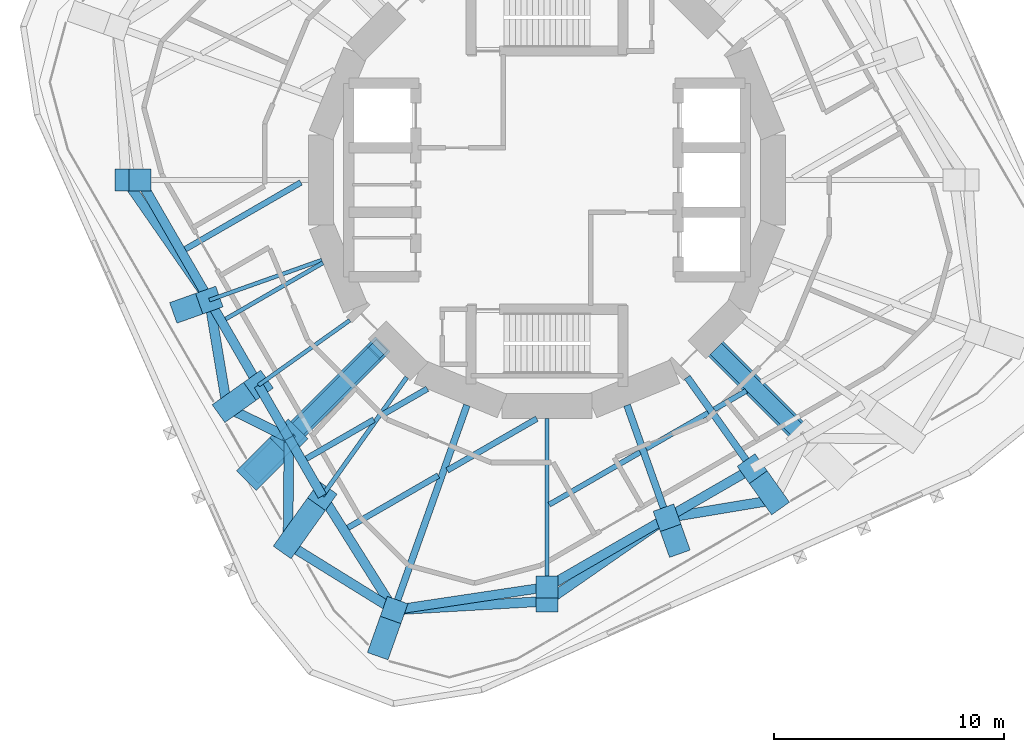
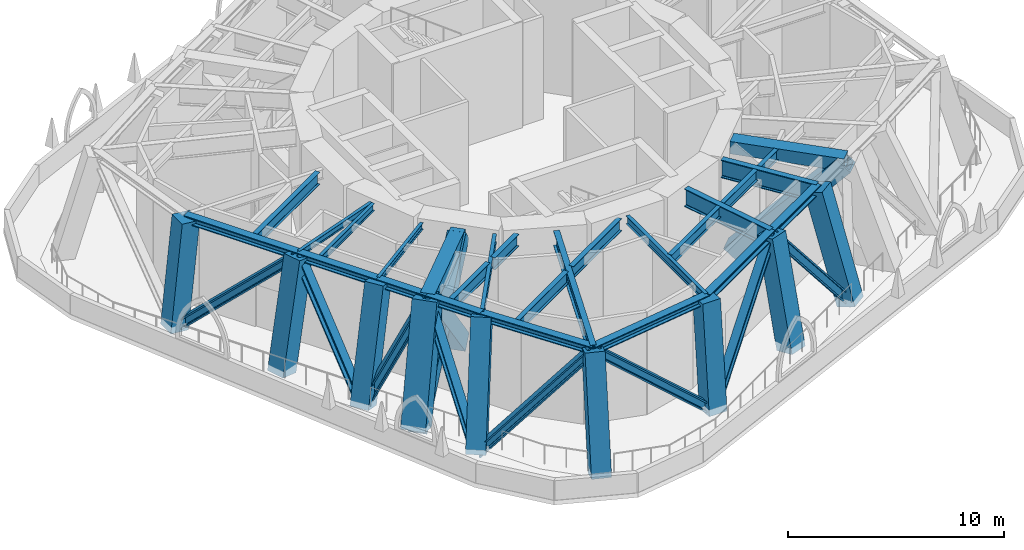
# One storey, part 1 of 10: 30 members, 16 beams.
"""IFC4 building model written with IfcOpenShell, lengths in metres."""

from ifc_helpers import new_model, si_unit, direction, frame, origin, origin_2d, place, context, subcontext, project, spatial, rectangle, hollow_rectangle, i_section, extrude, material, material_profile, profile_set, type_object, element, save


model = new_model("IFC4")

# Units and contexts
model_context = context("Model", 3, precision=1e-05, world=origin(), true_north=direction((0.0, 1.0)))
body_context = subcontext(model_context, "Body", "Model", "MODEL_VIEW")
ifc_project = project(units=[si_unit("LENGTHUNIT", "METRE"), si_unit("AREAUNIT", "SQUARE_METRE"), si_unit("VOLUMEUNIT", "CUBIC_METRE"), si_unit("PLANEANGLEUNIT", "RADIAN"), si_unit("MASSUNIT", "GRAM", prefix="KILO")], contexts=[model_context])

# Site, building, storey
site_placement = place(None, origin())
site = spatial("IfcSite", under=ifc_project, at=site_placement, CompositionType="ELEMENT")
building_placement = place(site_placement, origin())
building = spatial("IfcBuilding", under=site, at=building_placement, Name="Nakasero Lantern House", CompositionType="ELEMENT")
storey_placement = place(building_placement, frame((0.0, 0.0, 217.10009765625)))
storey = spatial("IfcBuildingStorey", under=building, at=storey_placement, Name="L53", CompositionType="ELEMENT", Elevation=217.10009765625)

# Members
ifc_material_1 = material(Name="Steel S355", Category="steel")
ifc_material_profile_1 = material_profile(ifc_material_1, i_section(OverallWidth=0.406982421875, OverallDepth=0.4189453125, WebThickness=0.030517578125, FlangeThickness=0.04931640625, FilletRadius=0.01513671875, at=origin_2d()), Name="UC 356x406x393")
ifc_profile_set_1 = profile_set([ifc_material_profile_1], Name="Steel S355")
member_type_1 = type_object("IfcMemberType", Name="Belt truss chord UC 356x406x393", PredefinedType="CHORD", material=ifc_profile_set_1)
member_1_placement = place(storey_placement, frame((-17.6669921875, 0.0, 5.59033203125), z_axis=(0.50000924366, -0.866020066889, 0.0), x_axis=(0.866020066889, 0.50000924366, 0.0)))
element("IfcMember", 1, at=member_1_placement, inside=storey, type_object=member_type_1, Name="Belt truss top chord T5 B6-C15T", PredefinedType="CHORD", context=body_context, shape_type="SweptSolid", body=[
    extrude(i_section(OverallWidth=0.406982421875, OverallDepth=0.4189453125, WebThickness=0.030517578125, FlangeThickness=0.04931640625, FilletRadius=0.01513671875, at=origin_2d()), origin(), (0.0, 0.0, 1.0), 6.01806640625),
])
member_2_placement = place(storey_placement, frame((-14.657958984375, -5.211669921875, 5.59033203125), z_axis=(0.500016352561, -0.866015962423, 0.0), x_axis=(0.866015962423, 0.500016352561, 0.0)))
element("IfcMember", 2, at=member_2_placement, inside=storey, type_object=member_type_1, Name="Belt truss top chord T5 B6-C16T", PredefinedType="CHORD", context=body_context, shape_type="SweptSolid", body=[
    extrude(i_section(OverallWidth=0.406982421875, OverallDepth=0.4189453125, WebThickness=0.030517578125, FlangeThickness=0.04931640625, FilletRadius=0.01513671875, at=origin_2d()), origin(), (0.0, 0.0, 1.0), 4.266357421875),
])
member_3_placement = place(storey_placement, frame((-12.524658203125, -8.906494140625, 5.59033203125), z_axis=(0.499945861543, -0.866056658381, 0.0), x_axis=(0.866056658381, 0.499945861543, 0.0)))
element("IfcMember", 3, at=member_3_placement, inside=storey, type_object=member_type_1, Name="Belt truss top chord T5 B6-C17T", PredefinedType="CHORD", context=body_context, shape_type="SweptSolid", body=[
    extrude(i_section(OverallWidth=0.406982421875, OverallDepth=0.4189453125, WebThickness=0.030517578125, FlangeThickness=0.04931640625, FilletRadius=0.01513671875, at=origin_2d()), origin(), (0.0, 0.0, 1.0), 2.648681640625),
])
member_4_placement = place(storey_placement, frame((-11.200439453125, -11.200439453125, 5.59033203125), z_axis=(0.500023687443, -0.866011727401, 0.0), x_axis=(0.866011727401, 0.500023687443, 0.0)))
element("IfcMember", 4, at=member_4_placement, inside=storey, type_object=member_type_1, Name="Belt truss top chord T5 B6-C18T", PredefinedType="CHORD", context=body_context, shape_type="SweptSolid", body=[
    extrude(i_section(OverallWidth=0.406982421875, OverallDepth=0.4189453125, WebThickness=0.030517578125, FlangeThickness=0.04931640625, FilletRadius=0.01513671875, at=origin_2d()), origin(), (0.0, 0.0, 1.0), 2.899658203125),
])
member_5_placement = place(storey_placement, frame((-9.75048828125, -13.711669921875, 5.59033203125), z_axis=(0.532660471024, -0.846329027393, 0.0), x_axis=(0.846329027393, 0.532660471024, 0.0)))
element("IfcMember", 5, at=member_5_placement, inside=storey, type_object=member_type_1, Name="Belt truss top chord T5 B6-C19T", PredefinedType="CHORD", context=body_context, shape_type="SweptSolid", body=[
    extrude(i_section(OverallWidth=0.406982421875, OverallDepth=0.4189453125, WebThickness=0.030517578125, FlangeThickness=0.04931640625, FilletRadius=0.01513671875, at=origin_2d()), origin(), (0.0, 0.0, 1.0), 5.848388671875),
])
member_6_placement = place(storey_placement, frame((-6.63525390625, -18.661376953125, 5.59033203125), z_axis=(0.988956095107, 0.148208778253, 0.0), x_axis=(-0.148208778253, 0.988956095107, 0.0)))
element("IfcMember", 6, at=member_6_placement, inside=storey, type_object=member_type_1, Name="Belt truss top chord T5 B6-C20T", PredefinedType="CHORD", context=body_context, shape_type="SweptSolid", body=[
    extrude(i_section(OverallWidth=0.406982421875, OverallDepth=0.4189453125, WebThickness=0.030517578125, FlangeThickness=0.04931640625, FilletRadius=0.01513671875, at=origin_2d()), origin(), (0.0, 0.0, 1.0), 6.70947265625),
])
member_7_placement = place(storey_placement, frame((0.0, -17.6669921875, 5.59033203125), z_axis=(0.866020066889, 0.50000924366, 0.0), x_axis=(-0.50000924366, 0.866020066889, 0.0)))
element("IfcMember", 7, at=member_7_placement, inside=storey, type_object=member_type_1, Name="Belt truss top chord T5 B6-C21T", PredefinedType="CHORD", context=body_context, shape_type="SweptSolid", body=[
    extrude(i_section(OverallWidth=0.406982421875, OverallDepth=0.4189453125, WebThickness=0.030517578125, FlangeThickness=0.04931640625, FilletRadius=0.01513671875, at=origin_2d()), origin(), (0.0, 0.0, 1.0), 6.01806640625),
])
member_8_placement = place(storey_placement, frame((5.211669921875, -14.657958984375, 5.59033203125), z_axis=(0.866015962423, 0.500016352561, 0.0), x_axis=(-0.500016352561, 0.866015962423, 0.0)))
element("IfcMember", 8, at=member_8_placement, inside=storey, type_object=member_type_1, Name="Belt truss top chord T5 B6-C22T", PredefinedType="CHORD", context=body_context, shape_type="SweptSolid", body=[
    extrude(i_section(OverallWidth=0.406982421875, OverallDepth=0.4189453125, WebThickness=0.030517578125, FlangeThickness=0.04931640625, FilletRadius=0.01513671875, at=origin_2d()), origin(), (0.0, 0.0, 1.0), 4.266357421875),
])
ifc_material_2 = material(Name="Steel S355", Category="steel")
ifc_material_profile_2 = material_profile(ifc_material_2, i_section(OverallWidth=0.424072265625, OverallDepth=0.474609375, WebThickness=0.047607421875, FlangeThickness=0.076904296875, FilletRadius=0.01513671875, at=origin_2d()), Name="UC 356x406x634")
ifc_profile_set_2 = profile_set([ifc_material_profile_2], Name="Steel S355")
member_type_2 = type_object("IfcMemberType", Name="Belt truss diagonal UC 356x406x634", PredefinedType="BRACE", material=ifc_profile_set_2)
member_9_placement = place(storey_placement, frame((-18.280517578125, 0.0, -0.40966796875), z_axis=(0.414760561963, -0.59670398411, 0.686962904084), x_axis=(0.821123096847, 0.570751136507, 0.0)))
element("IfcMember", 9, at=member_9_placement, inside=storey, type_object=member_type_2, Name="Belt truss diagonal T5-15", PredefinedType="BRACE", context=body_context, shape_type="SweptSolid", body=[
    extrude(i_section(OverallWidth=0.424072265625, OverallDepth=0.474609375, WebThickness=0.047607421875, FlangeThickness=0.076904296875, FilletRadius=0.01513671875, at=origin_2d()), origin(), (0.0, 0.0, 1.0), 8.734130859375),
])
member_10_placement = place(storey_placement, frame((-14.657958984375, -5.211669921875, 5.59033203125), z_axis=(0.101268597524, -0.610392635641, -0.785598817152), x_axis=(0.986515133653, 0.163670067736, 0.0)))
element("IfcMember", 10, at=member_10_placement, inside=storey, type_object=member_type_2, Name="Belt truss diagonal T5-16", PredefinedType="BRACE", context=body_context, shape_type="SweptSolid", body=[
    extrude(i_section(OverallWidth=0.424072265625, OverallDepth=0.474609375, WebThickness=0.047607421875, FlangeThickness=0.076904296875, FilletRadius=0.01513671875, at=origin_2d()), origin(), (0.0, 0.0, 1.0), 7.637451171875),
])
member_11_placement = place(storey_placement, frame((-13.884521484375, -9.87353515625, -0.40966796875), z_axis=(0.400275145517, -0.197880245214, 0.894775511754), x_axis=(0.443164687224, 0.896440215518, 0.0)))
element("IfcMember", 11, at=member_11_placement, inside=storey, type_object=member_type_2, Name="Belt truss diagonal T5-17", PredefinedType="BRACE", context=body_context, shape_type="SweptSolid", body=[
    extrude(i_section(OverallWidth=0.424072265625, OverallDepth=0.474609375, WebThickness=0.047607421875, FlangeThickness=0.076904296875, FilletRadius=0.01513671875, at=origin_2d()), origin(), (0.0, 0.0, 1.0), 6.70556640625),
])
member_12_placement = place(storey_placement, frame((-11.200439453125, -11.200439453125, 5.59033203125), z_axis=(-0.005485834883, -0.609121289695, -0.793058106355), x_axis=(0.99995944714, -0.009005780145, 0.0)))
element("IfcMember", 12, at=member_12_placement, inside=storey, type_object=member_type_2, Name="Belt truss diagonal T5-18", PredefinedType="BRACE", context=body_context, shape_type="SweptSolid", body=[
    extrude(i_section(OverallWidth=0.424072265625, OverallDepth=0.474609375, WebThickness=0.047607421875, FlangeThickness=0.076904296875, FilletRadius=0.01513671875, at=origin_2d()), origin(), (0.0, 0.0, 1.0), 7.565673828125),
])
member_13_placement = place(storey_placement, frame((-11.241943359375, -15.808837890625, -0.40966796875), z_axis=(0.569819984128, -0.352842052815, 0.742164180929), x_axis=(0.526458539718, 0.850200803315, 0.0)))
element("IfcMember", 13, at=member_13_placement, inside=storey, type_object=member_type_2, Name="Belt truss diagonal T5-19", PredefinedType="BRACE", context=body_context, shape_type="SweptSolid", body=[
    extrude(i_section(OverallWidth=0.424072265625, OverallDepth=0.474609375, WebThickness=0.047607421875, FlangeThickness=0.076904296875, FilletRadius=0.01513671875, at=origin_2d()), origin(), (0.0, 0.0, 1.0), 8.08447265625),
])
member_14_placement = place(storey_placement, frame((-6.63525390625, -18.661376953125, 5.59033203125), z_axis=(0.741049366116, 0.042535764631, -0.670101892033), x_axis=(-0.057305043662, 0.998356715794, 0.0)))
element("IfcMember", 14, at=member_14_placement, inside=storey, type_object=member_type_2, Name="Belt truss diagonal T5-20", PredefinedType="BRACE", context=body_context, shape_type="SweptSolid", body=[
    extrude(i_section(OverallWidth=0.424072265625, OverallDepth=0.474609375, WebThickness=0.047607421875, FlangeThickness=0.076904296875, FilletRadius=0.01513671875, at=origin_2d()), origin(), (0.0, 0.0, 1.0), 8.953857421875),
])
member_15_placement = place(storey_placement, frame((0.0, -18.280517578125, -0.40966796875), z_axis=(0.59670398411, 0.414760561963, 0.686962904084), x_axis=(-0.570751136507, 0.821123096847, 0.0)))
element("IfcMember", 15, at=member_15_placement, inside=storey, type_object=member_type_2, Name="Belt truss diagonal T5-21", PredefinedType="BRACE", context=body_context, shape_type="SweptSolid", body=[
    extrude(i_section(OverallWidth=0.424072265625, OverallDepth=0.474609375, WebThickness=0.047607421875, FlangeThickness=0.076904296875, FilletRadius=0.01513671875, at=origin_2d()), origin(), (0.0, 0.0, 1.0), 8.734130859375),
])
member_16_placement = place(storey_placement, frame((5.211669921875, -14.657958984375, 5.59033203125), z_axis=(0.610392635641, 0.101268597524, -0.785598817152), x_axis=(-0.163670067736, 0.986515133653, 0.0)))
element("IfcMember", 16, at=member_16_placement, inside=storey, type_object=member_type_2, Name="Belt truss diagonal T5-22", PredefinedType="BRACE", context=body_context, shape_type="SweptSolid", body=[
    extrude(i_section(OverallWidth=0.424072265625, OverallDepth=0.474609375, WebThickness=0.047607421875, FlangeThickness=0.076904296875, FilletRadius=0.01513671875, at=origin_2d()), origin(), (0.0, 0.0, 1.0), 7.637451171875),
])

# Beams
ifc_material_3 = material(Name="Steel S355", Category="steel")
ifc_material_profile_3 = material_profile(ifc_material_3, i_section(OverallWidth=0.177978515625, OverallDepth=0.406494140625, WebThickness=0.0078125, FlangeThickness=0.0126953125, FilletRadius=0.01025390625, at=origin_2d()), Name="UB 406x178x60")
ifc_profile_set_3 = profile_set([ifc_material_profile_3], Name="Steel S355")
beam_type_1 = type_object("IfcBeamType", Name="Infill beam UB 406x178x60", PredefinedType="JOIST", material=ifc_profile_set_3)
beam_1_placement = place(storey_placement, frame((-13.948974609375, -6.03271484375, 5.5966796875), z_axis=(0.866011447264, 0.500024172624, 0.0), x_axis=(-0.500024172624, 0.866011447264, 0.0)))
element("IfcBeam", 17, at=beam_1_placement, inside=storey, type_object=beam_type_1, Name="Infill beam L54 07.1", PredefinedType="JOIST", context=body_context, shape_type="SweptSolid", body=[
    extrude(i_section(OverallWidth=0.177978515625, OverallDepth=0.406494140625, WebThickness=0.0078125, FlangeThickness=0.0126953125, FilletRadius=0.01025390625, at=origin_2d()), origin(), (0.0, 0.0, 1.0), 4.879638671875),
])
ifc_material_4 = material(Name="Steel S355", Category="steel")
ifc_material_profile_4 = material_profile(ifc_material_4, i_section(OverallWidth=0.2275390625, OverallDepth=0.6025390625, WebThickness=0.010498046875, FlangeThickness=0.014892578125, FilletRadius=0.0126953125, at=origin_2d()), Name="UB 610x229x101")
ifc_profile_set_4 = profile_set([ifc_material_profile_4], Name="Steel S355")
beam_type_2 = type_object("IfcBeamType", Name="Infill beam UB 610x229x101", PredefinedType="JOIST", material=ifc_profile_set_4)
beam_2_placement = place(storey_placement, frame((0.095703125, -14.08984375, 5.49853515625), z_axis=(0.866027576455, 0.499996236806, 0.0), x_axis=(-0.499996236806, 0.866027576455, 0.0)))
element("IfcBeam", 18, at=beam_2_placement, inside=storey, type_object=beam_type_2, Name="Infill beam L54 03.1", PredefinedType="JOIST", context=body_context, shape_type="SweptSolid", body=[
    extrude(i_section(OverallWidth=0.2275390625, OverallDepth=0.6025390625, WebThickness=0.010498046875, FlangeThickness=0.014892578125, FilletRadius=0.0126953125, at=origin_2d()), origin(), (0.0, 0.0, 1.0), 4.55419921875),
])
beam_3_placement = place(storey_placement, frame((4.3056640625, -11.6591796875, 5.49853515625), z_axis=(0.866022192502, 0.500005562063, 0.0), x_axis=(-0.500005562063, 0.866022192502, 0.0)))
element("IfcBeam", 19, at=beam_3_placement, inside=storey, type_object=beam_type_2, Name="Infill beam L54 03.2", PredefinedType="JOIST", context=body_context, shape_type="SweptSolid", body=[
    extrude(i_section(OverallWidth=0.2275390625, OverallDepth=0.6025390625, WebThickness=0.010498046875, FlangeThickness=0.014892578125, FilletRadius=0.0126953125, at=origin_2d()), origin(), (0.0, 0.0, 1.0), 3.1103515625),
])
beam_4_placement = place(storey_placement, frame((7.2626953125, -9.951904296875, 5.49853515625), z_axis=(0.866008413041, 0.500029427677, 0.0), x_axis=(-0.500029427677, 0.866008413041, 0.0)))
element("IfcBeam", 20, at=beam_4_placement, inside=storey, type_object=beam_type_2, Name="Infill beam L54 03.3", PredefinedType="JOIST", context=body_context, shape_type="SweptSolid", body=[
    extrude(i_section(OverallWidth=0.2275390625, OverallDepth=0.6025390625, WebThickness=0.010498046875, FlangeThickness=0.014892578125, FilletRadius=0.0126953125, at=origin_2d()), origin(), (0.0, 0.0, 1.0), 1.6064453125),
])
ifc_material_5 = material(Name="Steel S355", Category="steel")
ifc_material_profile_5 = material_profile(ifc_material_5, i_section(OverallWidth=0.253662109375, OverallDepth=0.68359375, WebThickness=0.012451171875, FlangeThickness=0.01904296875, FilletRadius=0.01513671875, at=origin_2d()), Name="UB 686x254x140")
ifc_profile_set_5 = profile_set([ifc_material_profile_5], Name="Steel S355")
beam_type_3 = type_object("IfcBeamType", Name="Infill beam UB 686x254x140", PredefinedType="JOIST", material=ifc_profile_set_5)
beam_5_placement = place(storey_placement, frame((-8.640869140625, -15.092529296875, 5.458251953125), z_axis=(0.866016951853, 0.500014638889, 0.0), x_axis=(-0.500014638889, 0.866016951853, 0.0)))
element("IfcBeam", 21, at=beam_5_placement, inside=storey, type_object=beam_type_3, Name="Infill beam L54 04.1", PredefinedType="JOIST", context=body_context, shape_type="SweptSolid", body=[
    extrude(i_section(OverallWidth=0.253662109375, OverallDepth=0.68359375, WebThickness=0.012451171875, FlangeThickness=0.01904296875, FilletRadius=0.01513671875, at=origin_2d()), origin(), (0.0, 0.0, 1.0), 4.532470703125),
])
beam_6_placement = place(storey_placement, frame((-4.3251953125, -12.600830078125, 5.458251953125), z_axis=(0.866020631037, 0.50000826655, 0.0), x_axis=(-0.50000826655, 0.866020631037, 0.0)))
element("IfcBeam", 22, at=beam_6_placement, inside=storey, type_object=beam_type_3, Name="Infill beam L54 04.2", PredefinedType="JOIST", context=body_context, shape_type="SweptSolid", body=[
    extrude(i_section(OverallWidth=0.253662109375, OverallDepth=0.68359375, WebThickness=0.012451171875, FlangeThickness=0.01904296875, FilletRadius=0.01513671875, at=origin_2d()), origin(), (0.0, 0.0, 1.0), 4.48583984375),
])
beam_7_placement = place(storey_placement, frame((-10.448974609375, -12.094970703125, 5.458251953125), z_axis=(0.86601890861, 0.500011249804, 0.0), x_axis=(-0.500011249804, 0.86601890861, 0.0)))
element("IfcBeam", 23, at=beam_7_placement, inside=storey, type_object=beam_type_3, Name="Infill beam L54 05.1", PredefinedType="JOIST", context=body_context, shape_type="SweptSolid", body=[
    extrude(i_section(OverallWidth=0.253662109375, OverallDepth=0.68359375, WebThickness=0.012451171875, FlangeThickness=0.01904296875, FilletRadius=0.01513671875, at=origin_2d()), origin(), (0.0, 0.0, 1.0), 3.390625),
])
beam_8_placement = place(storey_placement, frame((-7.114501953125, -10.169677734375, 5.458251953125), z_axis=(0.866040838572, 0.499973265211, 0.0), x_axis=(-0.499973265211, 0.866040838572, 0.0)))
element("IfcBeam", 24, at=beam_8_placement, inside=storey, type_object=beam_type_3, Name="Infill beam L54 05.2", PredefinedType="JOIST", context=body_context, shape_type="SweptSolid", body=[
    extrude(i_section(OverallWidth=0.253662109375, OverallDepth=0.68359375, WebThickness=0.012451171875, FlangeThickness=0.01904296875, FilletRadius=0.01513671875, at=origin_2d()), origin(), (0.0, 0.0, 1.0), 2.21875),
])
beam_9_placement = place(storey_placement, frame((-15.698974609375, -3.001708984375, 5.458251953125), z_axis=(0.866022802698, 0.500004505187, 0.0), x_axis=(-0.500004505187, 0.866022802698, 0.0)))
element("IfcBeam", 25, at=beam_9_placement, inside=storey, type_object=beam_type_3, Name="Infill beam L54 08.1", PredefinedType="JOIST", context=body_context, shape_type="SweptSolid", body=[
    extrude(i_section(OverallWidth=0.253662109375, OverallDepth=0.68359375, WebThickness=0.012451171875, FlangeThickness=0.01904296875, FilletRadius=0.01513671875, at=origin_2d()), origin(), (0.0, 0.0, 1.0), 5.79443359375),
])

# Members
ifc_material_6 = material(Name="Steel S355", Category="steel")
ifc_material_profile_6 = material_profile(ifc_material_6, hollow_rectangle(XDim=0.699951171875, YDim=0.699951171875, WallThickness=0.050048828125, at=origin_2d()), Name="BOX 700x700x50")
ifc_profile_set_6 = profile_set([ifc_material_profile_6], Name="Steel S355")
member_type_3 = type_object("IfcMemberType", Name="Outrigger chord BOX 700x700x50", PredefinedType="CHORD", material=ifc_profile_set_6)
for number, where, z_axis, x_axis, name in (
    (26, (-11.200439453125, -11.200439453125, 5.449951171875), (0.707106781187, 0.707106781187, 0.0), (-0.707106781187, 0.707106781187, 0.0), "Outrigger chord L54 B6-C18T"),
    (27, (11.200439453125, -11.200439453125, 5.449951171875), (-0.707106781187, 0.707106781187, 0.0), (-0.707106781187, -0.707106781187, 0.0), "Outrigger chord L54 B6-C24T"),
):
    element("IfcMember", number, at=place(storey_placement, frame(where, z_axis=z_axis, x_axis=x_axis)), inside=storey, type_object=member_type_3, Name=name, PredefinedType="CHORD", context=body_context, shape_type="SweptSolid", body=[
        extrude(hollow_rectangle(XDim=0.699951171875, YDim=0.699951171875, WallThickness=0.050048828125, at=origin_2d()), origin(), (0.0, 0.0, 1.0), 5.481689453125),
    ])
ifc_material_7 = material(Name="Steel S355", Category="steel")
ifc_material_profile_7 = material_profile(ifc_material_7, hollow_rectangle(XDim=0.89990234375, YDim=0.89990234375, WallThickness=0.10009765625, at=origin_2d()), Name="BOX 900x900x100")
ifc_profile_set_7 = profile_set([ifc_material_profile_7], Name="Steel S355")
member_type_4 = type_object("IfcMemberType", Name="Outrigger diagonal BOX 900x900x100", PredefinedType="BRACE", material=ifc_profile_set_7)
member_17_placement = place(storey_placement, frame((-7.359375, -7.359375, -0.550048828125), z_axis=(-0.47457614987, -0.47457614987, 0.74131973935), x_axis=(0.707106781187, -0.707106781187, 0.0)))
element("IfcMember", 28, at=member_17_placement, inside=storey, type_object=member_type_4, Name="Outrigger diagonal L53 18 rising", PredefinedType="BRACE", context=body_context, shape_type="SweptSolid", body=[
    extrude(hollow_rectangle(XDim=0.89990234375, YDim=0.89990234375, WallThickness=0.10009765625, at=origin_2d()), origin(), (0.0, 0.0, 1.0), 8.09375),
])
member_18_placement = place(storey_placement, frame((-7.32421875, -7.32421875, 5.449951171875), z_axis=(-0.5530241733, -0.5530241733, -0.623160113848), x_axis=(0.707106781187, -0.707106781187, 0.0)))
element("IfcMember", 29, at=member_18_placement, inside=storey, type_object=member_type_4, Name="Outrigger diagonal L53 18 falling", PredefinedType="BRACE", context=body_context, shape_type="SweptSolid", body=[
    extrude(hollow_rectangle(XDim=0.89990234375, YDim=0.89990234375, WallThickness=0.10009765625, at=origin_2d()), origin(), (0.0, 0.0, 1.0), 9.62841796875),
])
member_19_placement = place(storey_placement, frame((7.359375, -7.359375, -0.550048828125), z_axis=(0.47457614987, -0.47457614987, 0.74131973935), x_axis=(0.707106781187, 0.707106781187, 0.0)))
element("IfcMember", 30, at=member_19_placement, inside=storey, type_object=member_type_4, Name="Outrigger diagonal L53 24 rising", PredefinedType="BRACE", context=body_context, shape_type="SweptSolid", body=[
    extrude(hollow_rectangle(XDim=0.89990234375, YDim=0.89990234375, WallThickness=0.10009765625, at=origin_2d()), origin(), (0.0, 0.0, 1.0), 8.09375),
])

# Beams
ifc_material_8 = material(Name="Steel S355", Category="steel")
ifc_material_profile_8 = material_profile(ifc_material_8, i_section(OverallWidth=0.302001953125, OverallDepth=1.008056640625, WebThickness=0.02099609375, FlangeThickness=0.0400390625, FilletRadius=0.030029296875, at=origin_2d()), Name="UB 1016x305x349")
ifc_profile_set_8 = profile_set([ifc_material_profile_8], Name="Steel S355")
beam_type_4 = type_object("IfcBeamType", Name="Primary beam UB 1016x305x349, span to 6 m", PredefinedType="BEAM", material=ifc_profile_set_8)
beam_10_placement = place(storey_placement, frame((5.211669921875, -14.657958984375, 5.2958984375), z_axis=(-0.334979016533, 0.942225587894, 0.0), x_axis=(-0.942225587894, -0.334979016533, 0.0)))
element("IfcBeam", 31, at=beam_10_placement, inside=storey, type_object=beam_type_4, Name="Primary beam L54 B6-C22T", PredefinedType="BEAM", context=body_context, shape_type="SweptSolid", body=[
    extrude(i_section(OverallWidth=0.302001953125, OverallDepth=1.008056640625, WebThickness=0.02099609375, FlangeThickness=0.0400390625, FilletRadius=0.030029296875, at=origin_2d()), origin(), (0.0, 0.0, 1.0), 5.185546875),
])
ifc_material_9 = material(Name="Steel S355", Category="steel")
ifc_material_profile_9 = material_profile(ifc_material_9, i_section(OverallWidth=0.302978515625, OverallDepth=1.015869140625, WebThickness=0.0244140625, FlangeThickness=0.0439453125, FilletRadius=0.030029296875, at=origin_2d()), Name="UB 1016x305x393")
ifc_profile_set_9 = profile_set([ifc_material_profile_9], Name="Steel S355")
beam_type_5 = type_object("IfcBeamType", Name="Primary beam UB 1016x305x393, span to 6 m", PredefinedType="BEAM", material=ifc_profile_set_9)
beam_11_placement = place(storey_placement, frame((8.906494140625, -12.524658203125, 5.2919921875), z_axis=(-0.579513415446, 0.814962699342, 0.0), x_axis=(-0.814962699342, -0.579513415446, 0.0)))
element("IfcBeam", 32, at=beam_11_placement, inside=storey, type_object=beam_type_5, Name="Primary beam L54 B6-C23T", PredefinedType="BEAM", context=body_context, shape_type="SweptSolid", body=[
    extrude(i_section(OverallWidth=0.302978515625, OverallDepth=1.015869140625, WebThickness=0.0244140625, FlangeThickness=0.0439453125, FilletRadius=0.030029296875, at=origin_2d()), origin(), (0.0, 0.0, 1.0), 4.8642578125),
])
ifc_material_10 = material(Name="Steel S355", Category="steel")
ifc_material_profile_10 = material_profile(ifc_material_10, i_section(OverallWidth=0.17138671875, OverallDepth=0.35498046875, WebThickness=0.00732421875, FlangeThickness=0.011474609375, FilletRadius=0.01025390625, at=origin_2d()), Name="UB 356x171x51")
ifc_profile_set_10 = profile_set([ifc_material_profile_10], Name="Steel S355")
beam_type_6 = type_object("IfcBeamType", Name="Primary beam UB 356x171x51, span to 6 m", PredefinedType="BEAM", material=ifc_profile_set_10)
beam_12_placement = place(storey_placement, frame((-14.657958984375, -5.211669921875, 5.622314453125), z_axis=(0.942225587894, 0.334979016533, 0.0), x_axis=(-0.334979016533, 0.942225587894, 0.0)))
element("IfcBeam", 33, at=beam_12_placement, inside=storey, type_object=beam_type_6, Name="Primary beam L54 B6-C16T", PredefinedType="BEAM", context=body_context, shape_type="SweptSolid", body=[
    extrude(i_section(OverallWidth=0.17138671875, OverallDepth=0.35498046875, WebThickness=0.00732421875, FlangeThickness=0.011474609375, FilletRadius=0.01025390625, at=origin_2d()), origin(), (0.0, 0.0, 1.0), 5.185546875),
])
beam_13_placement = place(storey_placement, frame((-12.524658203125, -8.906494140625, 5.622314453125), z_axis=(0.814962699342, 0.579513415446, 0.0), x_axis=(-0.579513415446, 0.814962699342, 0.0)))
element("IfcBeam", 34, at=beam_13_placement, inside=storey, type_object=beam_type_6, Name="Primary beam L54 B6-C17T", PredefinedType="BEAM", context=body_context, shape_type="SweptSolid", body=[
    extrude(i_section(OverallWidth=0.17138671875, OverallDepth=0.35498046875, WebThickness=0.00732421875, FlangeThickness=0.011474609375, FilletRadius=0.01025390625, at=origin_2d()), origin(), (0.0, 0.0, 1.0), 4.8642578125),
])
ifc_material_11 = material(Name="Steel S355", Category="steel")
ifc_material_profile_11 = material_profile(ifc_material_11, i_section(OverallWidth=0.19140625, OverallDepth=0.4599609375, WebThickness=0.010009765625, FlangeThickness=0.01611328125, FilletRadius=0.01025390625, at=origin_2d()), Name="UB 457x191x82")
ifc_profile_set_11 = profile_set([ifc_material_profile_11], Name="Steel S355")
beam_type_7 = type_object("IfcBeamType", Name="Primary beam UB 457x191x82, span 6 to 9 m", PredefinedType="BEAM", material=ifc_profile_set_11)
beam_14_placement = place(storey_placement, frame((-9.75048828125, -13.711669921875, 5.56982421875), z_axis=(0.579504973637, 0.814968702178, 0.0), x_axis=(-0.814968702178, 0.579504973637, 0.0)))
element("IfcBeam", 35, at=beam_14_placement, inside=storey, type_object=beam_type_7, Name="Primary beam L54 B6-C19T", PredefinedType="BEAM", context=body_context, shape_type="SweptSolid", body=[
    extrude(i_section(OverallWidth=0.19140625, OverallDepth=0.4599609375, WebThickness=0.010009765625, FlangeThickness=0.01611328125, FilletRadius=0.01025390625, at=origin_2d()), origin(), (0.0, 0.0, 1.0), 6.320556640625),
])
beam_15_placement = place(storey_placement, frame((0.0, -17.6669921875, 5.56982421875), z_axis=(0.0, 1.0, 0.0), x_axis=(-1.0, 0.0, 0.0)))
element("IfcBeam", 36, at=beam_15_placement, inside=storey, type_object=beam_type_7, Name="Primary beam L54 B6-C21T", PredefinedType="BEAM", context=body_context, shape_type="SweptSolid", body=[
    extrude(i_section(OverallWidth=0.19140625, OverallDepth=0.4599609375, WebThickness=0.010009765625, FlangeThickness=0.01611328125, FilletRadius=0.01025390625, at=origin_2d()), origin(), (0.0, 0.0, 1.0), 7.30908203125),
])
ifc_material_12 = material(Name="Steel S355", Category="steel")
ifc_material_profile_12 = material_profile(ifc_material_12, i_section(OverallWidth=0.29248046875, OverallDepth=0.8408203125, WebThickness=0.0146484375, FlangeThickness=0.02685546875, FilletRadius=0.017822265625, at=origin_2d()), Name="UB 838x292x194")
ifc_profile_set_12 = profile_set([ifc_material_profile_12], Name="Steel S355")
beam_type_8 = type_object("IfcBeamType", Name="Primary beam UB 838x292x194, span 9 to 12 m", PredefinedType="BEAM", material=ifc_profile_set_12)
beam_16_placement = place(storey_placement, frame((-6.63525390625, -18.661376953125, 5.379638671875), z_axis=(0.335006604588, 0.942215779364, 0.0), x_axis=(-0.942215779364, 0.335006604588, 0.0)))
element("IfcBeam", 37, at=beam_16_placement, inside=storey, type_object=beam_type_8, Name="Primary beam L54 B6-C20T", PredefinedType="BEAM", context=body_context, shape_type="SweptSolid", body=[
    extrude(i_section(OverallWidth=0.29248046875, OverallDepth=0.8408203125, WebThickness=0.0146484375, FlangeThickness=0.02685546875, FilletRadius=0.017822265625, at=origin_2d()), origin(), (0.0, 0.0, 1.0), 9.4345703125),
])

# Members
ifc_material_13 = material(Name="Concrete C45/55", Category="concrete")
ifc_material_profile_13 = material_profile(ifc_material_13, rectangle(XDim=1.199951171875, YDim=1.199951171875, at=origin_2d()), Name="RC 1200x1200")
ifc_profile_set_13 = profile_set([ifc_material_profile_13], Name="Concrete C45/55")
member_type_5 = type_object("IfcMemberType", Name="Raking column RC 1200x1200 C45/55", PredefinedType="STRUT", material=ifc_profile_set_13)
member_20_placement = place(storey_placement, frame((-12.64892578125, -12.64892578125, -0.40966796875), z_axis=(0.228466098088, 0.228466098088, 0.946364878918), x_axis=(-0.707106781187, 0.707106781187, 0.0)))
element("IfcMember", 38, at=member_20_placement, inside=storey, type_object=member_type_5, Name="Raking column B6-C18T L53", PredefinedType="STRUT", context=body_context, shape_type="SweptSolid", body=[
    extrude(rectangle(XDim=1.199951171875, YDim=1.199951171875, at=origin_2d()), origin(), (0.0, 0.0, 1.0), 6.340087890625),
])
ifc_material_14 = material(Name="Concrete C45/55", Category="concrete")
ifc_material_profile_14 = material_profile(ifc_material_14, rectangle(XDim=0.949951171875, YDim=0.949951171875, at=origin_2d()), Name="RC 950x950")
ifc_profile_set_14 = profile_set([ifc_material_profile_14], Name="Concrete C45/55")
member_type_6 = type_object("IfcMemberType", Name="Raking column RC 950x950 C45/55", PredefinedType="STRUT", material=ifc_profile_set_14)
member_21_placement = place(storey_placement, frame((-18.280517578125, 0.0, -0.40966796875), z_axis=(0.101723806295, 0.0, 0.994812679469), x_axis=(0.0, 1.0, 0.0)))
element("IfcMember", 39, at=member_21_placement, inside=storey, type_object=member_type_6, Name="Raking column B6-C15T L53", PredefinedType="STRUT", context=body_context, shape_type="SweptSolid", body=[
    extrude(rectangle(XDim=0.949951171875, YDim=0.949951171875, at=origin_2d()), origin(), (0.0, 0.0, 1.0), 6.03125),
])
member_22_placement = place(storey_placement, frame((-15.781982421875, -5.611328125, -0.40966796875), z_axis=(0.183740614998, 0.065330883308, 0.980801336707), x_axis=(-0.335013705046, 0.942213254753, 0.0)))
element("IfcMember", 40, at=member_22_placement, inside=storey, type_object=member_type_6, Name="Raking column B6-C16T L53", PredefinedType="STRUT", context=body_context, shape_type="SweptSolid", body=[
    extrude(rectangle(XDim=0.949951171875, YDim=0.949951171875, at=origin_2d()), origin(), (0.0, 0.0, 1.0), 6.117431640625),
])
member_23_placement = place(storey_placement, frame((-13.884521484375, -9.87353515625, -0.40966796875), z_axis=(0.218356803631, 0.155280305059, 0.963435692285), x_axis=(-0.579534583222, 0.814947646692, 0.0)))
element("IfcMember", 41, at=member_23_placement, inside=storey, type_object=member_type_6, Name="Raking column B6-C17T L53", PredefinedType="STRUT", context=body_context, shape_type="SweptSolid", body=[
    extrude(rectangle(XDim=0.949951171875, YDim=0.949951171875, at=origin_2d()), origin(), (0.0, 0.0, 1.0), 6.227783203125),
])
member_24_placement = place(storey_placement, frame((-11.241943359375, -15.808837890625, -0.40966796875), z_axis=(0.22844962729, 0.321228073077, 0.919033891028), x_axis=(-0.814930431809, 0.579558790212, 0.0)))
element("IfcMember", 42, at=member_24_placement, inside=storey, type_object=member_type_6, Name="Raking column B6-C19T L53", PredefinedType="STRUT", context=body_context, shape_type="SweptSolid", body=[
    extrude(rectangle(XDim=0.949951171875, YDim=0.949951171875, at=origin_2d()), origin(), (0.0, 0.0, 1.0), 6.528564453125),
])
member_25_placement = place(storey_placement, frame((-7.19482421875, -20.2353515625, -0.40966796875), z_axis=(0.089844582011, 0.252717286311, 0.963359706591), x_axis=(-0.94222699159, 0.334975068206, 0.0)))
element("IfcMember", 43, at=member_25_placement, inside=storey, type_object=member_type_6, Name="Raking column B6-C20T L53", PredefinedType="STRUT", context=body_context, shape_type="SweptSolid", body=[
    extrude(rectangle(XDim=0.949951171875, YDim=0.949951171875, at=origin_2d()), origin(), (0.0, 0.0, 1.0), 6.228271484375),
])
member_26_placement = place(storey_placement, frame((0.0, -18.280517578125, -0.40966796875), z_axis=(0.0, 0.101723806295, 0.994812679469), x_axis=(-1.0, 0.0, 0.0)))
element("IfcMember", 44, at=member_26_placement, inside=storey, type_object=member_type_6, Name="Raking column B6-C21T L53", PredefinedType="STRUT", context=body_context, shape_type="SweptSolid", body=[
    extrude(rectangle(XDim=0.949951171875, YDim=0.949951171875, at=origin_2d()), origin(), (0.0, 0.0, 1.0), 6.03125),
])
member_27_placement = place(storey_placement, frame((5.611328125, -15.781982421875, -0.40966796875), z_axis=(-0.065330883308, 0.183740614998, 0.980801336707), x_axis=(-0.942213254753, -0.335013705046, 0.0)))
element("IfcMember", 45, at=member_27_placement, inside=storey, type_object=member_type_6, Name="Raking column B6-C22T L53", PredefinedType="STRUT", context=body_context, shape_type="SweptSolid", body=[
    extrude(rectangle(XDim=0.949951171875, YDim=0.949951171875, at=origin_2d()), origin(), (0.0, 0.0, 1.0), 6.117431640625),
])
member_28_placement = place(storey_placement, frame((9.87353515625, -13.884521484375, -0.40966796875), z_axis=(-0.155280305059, 0.218356803631, 0.963435692285), x_axis=(-0.814947646692, -0.579534583222, 0.0)))
element("IfcMember", 46, at=member_28_placement, inside=storey, type_object=member_type_6, Name="Raking column B6-C23T L53", PredefinedType="STRUT", context=body_context, shape_type="SweptSolid", body=[
    extrude(rectangle(XDim=0.949951171875, YDim=0.949951171875, at=origin_2d()), origin(), (0.0, 0.0, 1.0), 6.227783203125),
])

save(model, "model.ifc")
